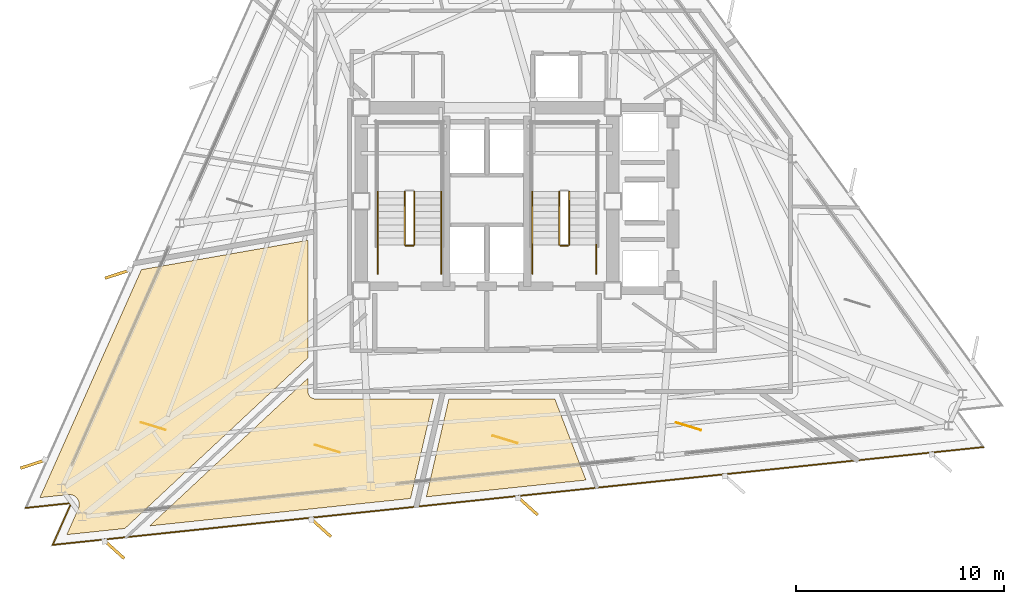
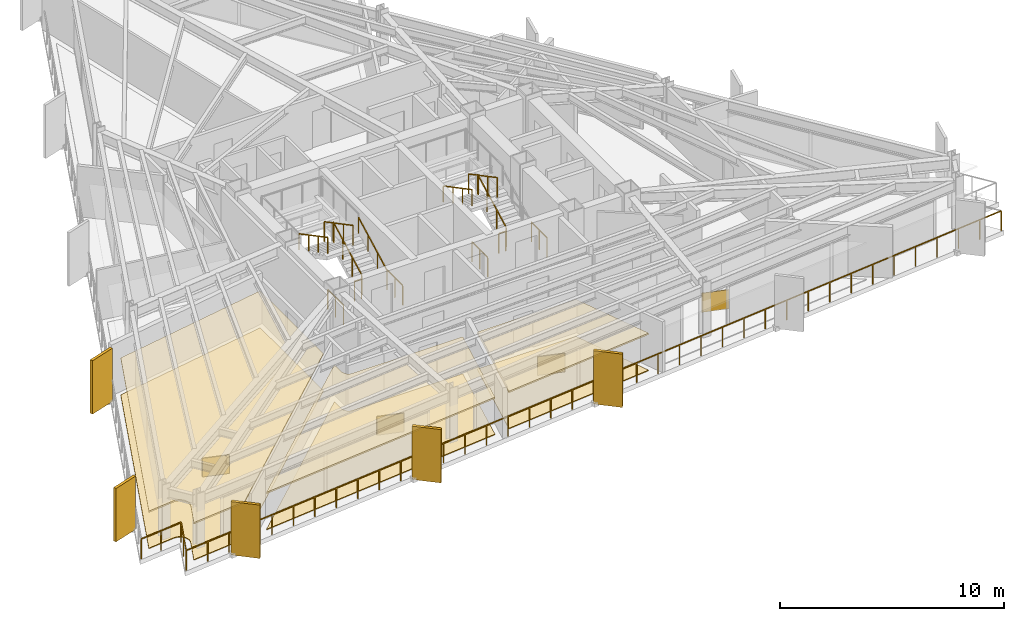
# One storey, part 10 of 12: 14 railings, 10 coverings, 5 shading devices.
"""IFC4 building model written with IfcOpenShell, lengths in metres."""

from ifc_helpers import new_model, si_unit, direction, frame, origin, origin_2d, place, context, subcontext, project, spatial, polyline, rectangle, outline, extrude, material, layer, layer_set, type_object, element, save


model = new_model("IFC4")

# Units and contexts
model_context = context("Model", 3, precision=1e-05, world=origin(), true_north=direction((0.0, 1.0)))
body_context = subcontext(model_context, "Body", "Model", "MODEL_VIEW")
ifc_project = project(units=[si_unit("LENGTHUNIT", "METRE"), si_unit("AREAUNIT", "SQUARE_METRE"), si_unit("VOLUMEUNIT", "CUBIC_METRE"), si_unit("PLANEANGLEUNIT", "RADIAN"), si_unit("MASSUNIT", "GRAM", prefix="KILO")], contexts=[model_context])

# Site, building, storey
site_placement = place(None, origin())
site = spatial("IfcSite", under=ifc_project, at=site_placement, CompositionType="ELEMENT")
building_placement = place(site_placement, origin())
building = spatial("IfcBuilding", under=site, at=building_placement, Name="Rocaltana Carrier Exchange", CompositionType="ELEMENT")
storey_placement = place(building_placement, frame((0.0, 0.0, 116.800048828125)))
storey = spatial("IfcBuildingStorey", under=building, at=storey_placement, Name="L36", CompositionType="ELEMENT", Elevation=116.800048828125)

# Coverings
ifc_material_1 = material(Name="Honed Bogota Sandstone Tile", Category="masonry")
ifc_layer_1 = layer(ifc_material_1, 0.0400390625)
ifc_layer_set_1 = layer_set([ifc_layer_1], Name="Honed Bogota Sandstone Tile")
covering_type_1 = type_object("IfcCoveringType", Name="Honed Stone Lobby Flooring 40", PredefinedType="FLOORING", material=ifc_layer_set_1)
covering_1_placement = place(storey_placement, origin())
element("IfcCovering", 1, at=covering_1_placement, inside=storey, type_object=covering_type_1, Name="L36 Incident Briefing Room Finish Floor", PredefinedType="FLOORING", context=body_context, shape_type="SweptSolid", body=[
    extrude(outline(polyline([(-19.646240234375, -14.78759765625), (-19.640869140625, -14.774658203125), (-19.633544921875, -14.756103515625), (-19.625, -14.7294921875), (-19.61962890625, -14.71044921875), (-19.613525390625, -14.68310546875), (-19.610107421875, -14.66357421875), (-19.606689453125, -14.6357421875), (-19.60546875, -14.615966796875), (-19.60498046875, -14.587890625), (-19.60546875, -14.568115234375), (-19.607666015625, -14.540283203125), (-19.6103515625, -14.5205078125), (-19.615234375, -14.492919921875), (-19.619873046875, -14.4736328125), (-19.62744140625, -14.44677734375), (-19.6337890625, -14.427978515625), (-19.644287109375, -14.402099609375), (-19.652587890625, -14.3837890625), (-19.665283203125, -14.359130859375), (-19.675537109375, -14.341796875), (-19.690673828125, -14.318603515625), (-19.702392578125, -14.30224609375), (-19.719970703125, -14.280517578125), (-19.733154296875, -14.265625), (-19.752685546875, -14.245849609375), (-19.767578125, -14.232421875), (-19.7890625, -14.214599609375), (-19.804931640625, -14.20263671875), (-19.828125, -14.18701171875), (-19.84521484375, -14.176513671875), (-19.86962890625, -14.163330078125), (-19.8876953125, -14.15478515625), (-19.91357421875, -14.14404296875), (-19.932373046875, -14.137451171875), (-19.958984375, -14.12939453125), (-19.978271484375, -14.12451171875), (-20.005615234375, -14.119140625), (-20.025390625, -14.1162109375), (-20.05322265625, -14.113525390625), (-20.072998046875, -14.11279296875), (-20.10107421875, -14.11279296875), (-20.12109375, -14.114013671875), (-20.135009765625, -14.114990234375), (-21.49609375, -14.258056640625), (-16.614990234375, -3.295166015625), (-8.610107421875, -1.8837890625), (-8.610107421875, -7.53662109375), (-17.411865234375, -15.74462890625), (-20.202880859375, -16.037841796875), (-19.646240234375, -14.78759765625)])), origin(), (0.0, 0.0, 1.0), 0.0400390625),
])
covering_2_placement = place(storey_placement, origin())
element("IfcCovering", 2, at=covering_2_placement, inside=storey, type_object=covering_type_1, Name="L36 Peering Conference Room Finish Floor", PredefinedType="FLOORING", context=body_context, shape_type="SweptSolid", body=[
    extrude(outline(polyline([(-16.221923828125, -15.619384765625), (-8.610107421875, -8.521240234375), (-8.610107421875, -9.14990234375), (-8.609619140625, -9.163818359375), (-8.609375, -9.171630859375), (-8.606689453125, -9.198974609375), (-8.60546875, -9.206787109375), (-8.60009765625, -9.233642578125), (-8.59814453125, -9.2412109375), (-8.590087890625, -9.267578125), (-8.58740234375, -9.27490234375), (-8.576904296875, -9.30029296875), (-8.57373046875, -9.307373046875), (-8.560791015625, -9.331787109375), (-8.556640625, -9.33837890625), (-8.54150390625, -9.361083984375), (-8.53662109375, -9.367431640625), (-8.519287109375, -9.388916015625), (-8.513916015625, -9.39453125), (-8.49462890625, -9.4140625), (-8.48876953125, -9.419189453125), (-8.467529296875, -9.436767578125), (-8.461181640625, -9.44140625), (-8.4384765625, -9.456787109375), (-8.431640625, -9.460693359375), (-8.407470703125, -9.4736328125), (-8.400390625, -9.47705078125), (-8.375, -9.487548828125), (-8.36767578125, -9.490234375), (-8.34130859375, -9.498291015625), (-8.33349609375, -9.5), (-8.306640625, -9.50537109375), (-8.298828125, -9.506591796875), (-8.271484375, -9.50927734375), (-8.263671875, -9.509765625), (-8.25, -9.510009765625), (-2.56494140625, -9.510009765625), (-3.6708984375, -14.30029296875), (-16.221923828125, -15.619384765625)])), origin(), (0.0, 0.0, 1.0), 0.0400390625),
])
covering_3_placement = place(storey_placement, origin())
element("IfcCovering", 3, at=covering_3_placement, inside=storey, type_object=covering_type_1, Name="L36 Optical Switching Laboratory Finish Floor", PredefinedType="FLOORING", context=body_context, shape_type="SweptSolid", body=[
    extrude(outline(polyline([(-2.913818359375, -14.220703125), (-1.826171875, -9.510009765625), (3.264892578125, -9.510009765625), (4.763427734375, -13.413818359375), (-2.913818359375, -14.220703125)])), origin(), (0.0, 0.0, 1.0), 0.0400390625),
])
ifc_material_2 = material(Name="Anodised Aluminium 6063-T6", Category="aluminium")
ifc_layer_2 = layer(ifc_material_2, 0.0849609375)
ifc_layer_set_2 = layer_set([ifc_layer_2], Name="Anodised Aluminium 6063-T6")
covering_type_2 = type_object("IfcCoveringType", Name="Linear Baffle Acoustic Ceiling 85", PredefinedType="CEILING", material=ifc_layer_set_2)
covering_4_placement = place(storey_placement, frame((0.0, 0.0, 1.972900390625)))
element("IfcCovering", 4, at=covering_4_placement, inside=storey, type_object=covering_type_2, Name="L36 Incident Briefing Room Acoustic Ceiling", PredefinedType="CEILING", context=body_context, shape_type="SweptSolid", body=[
    extrude(outline(polyline([(-19.646240234375, -14.78759765625), (-19.640869140625, -14.774658203125), (-19.633544921875, -14.756103515625), (-19.625, -14.7294921875), (-19.61962890625, -14.71044921875), (-19.613525390625, -14.68310546875), (-19.610107421875, -14.66357421875), (-19.606689453125, -14.6357421875), (-19.60546875, -14.615966796875), (-19.60498046875, -14.587890625), (-19.60546875, -14.568115234375), (-19.607666015625, -14.540283203125), (-19.6103515625, -14.5205078125), (-19.615234375, -14.492919921875), (-19.619873046875, -14.4736328125), (-19.62744140625, -14.44677734375), (-19.6337890625, -14.427978515625), (-19.644287109375, -14.402099609375), (-19.652587890625, -14.3837890625), (-19.665283203125, -14.359130859375), (-19.675537109375, -14.341796875), (-19.690673828125, -14.318603515625), (-19.702392578125, -14.30224609375), (-19.719970703125, -14.280517578125), (-19.733154296875, -14.265625), (-19.752685546875, -14.245849609375), (-19.767578125, -14.232421875), (-19.7890625, -14.214599609375), (-19.804931640625, -14.20263671875), (-19.828125, -14.18701171875), (-19.84521484375, -14.176513671875), (-19.86962890625, -14.163330078125), (-19.8876953125, -14.15478515625), (-19.91357421875, -14.14404296875), (-19.932373046875, -14.137451171875), (-19.958984375, -14.12939453125), (-19.978271484375, -14.12451171875), (-20.005615234375, -14.119140625), (-20.025390625, -14.1162109375), (-20.05322265625, -14.113525390625), (-20.072998046875, -14.11279296875), (-20.10107421875, -14.11279296875), (-20.12109375, -14.114013671875), (-20.135009765625, -14.114990234375), (-21.49609375, -14.258056640625), (-16.614990234375, -3.295166015625), (-8.610107421875, -1.8837890625), (-8.610107421875, -7.53662109375), (-17.411865234375, -15.74462890625), (-20.202880859375, -16.037841796875), (-19.646240234375, -14.78759765625)])), origin(), (0.0, 0.0, 1.0), 0.0849609375),
])
covering_5_placement = place(storey_placement, frame((0.0, 0.0, 1.972900390625)))
element("IfcCovering", 5, at=covering_5_placement, inside=storey, type_object=covering_type_2, Name="L36 Peering Conference Room Acoustic Ceiling", PredefinedType="CEILING", context=body_context, shape_type="SweptSolid", body=[
    extrude(outline(polyline([(-16.221923828125, -15.619384765625), (-8.610107421875, -8.521240234375), (-8.610107421875, -9.14990234375), (-8.609619140625, -9.163818359375), (-8.609375, -9.171630859375), (-8.606689453125, -9.198974609375), (-8.60546875, -9.206787109375), (-8.60009765625, -9.233642578125), (-8.59814453125, -9.2412109375), (-8.590087890625, -9.267578125), (-8.58740234375, -9.27490234375), (-8.576904296875, -9.30029296875), (-8.57373046875, -9.307373046875), (-8.560791015625, -9.331787109375), (-8.556640625, -9.33837890625), (-8.54150390625, -9.361083984375), (-8.53662109375, -9.367431640625), (-8.519287109375, -9.388916015625), (-8.513916015625, -9.39453125), (-8.49462890625, -9.4140625), (-8.48876953125, -9.419189453125), (-8.467529296875, -9.436767578125), (-8.461181640625, -9.44140625), (-8.4384765625, -9.456787109375), (-8.431640625, -9.460693359375), (-8.407470703125, -9.4736328125), (-8.400390625, -9.47705078125), (-8.375, -9.487548828125), (-8.36767578125, -9.490234375), (-8.34130859375, -9.498291015625), (-8.33349609375, -9.5), (-8.306640625, -9.50537109375), (-8.298828125, -9.506591796875), (-8.271484375, -9.50927734375), (-8.263671875, -9.509765625), (-8.25, -9.510009765625), (-2.56494140625, -9.510009765625), (-3.6708984375, -14.30029296875), (-16.221923828125, -15.619384765625)])), origin(), (0.0, 0.0, 1.0), 0.0849609375),
])
covering_6_placement = place(storey_placement, frame((0.0, 0.0, 1.972900390625)))
element("IfcCovering", 6, at=covering_6_placement, inside=storey, type_object=covering_type_2, Name="L36 Optical Switching Laboratory Acoustic Ceiling", PredefinedType="CEILING", context=body_context, shape_type="SweptSolid", body=[
    extrude(outline(polyline([(-2.913818359375, -14.220703125), (-1.826171875, -9.510009765625), (3.264892578125, -9.510009765625), (4.763427734375, -13.413818359375), (-2.913818359375, -14.220703125)])), origin(), (0.0, 0.0, 1.0), 0.0849609375),
])

# Railings
ifc_material_3 = material(Name="Brushed Architectural Stainless Tube", Category="steel")
ifc_layer_3 = layer(ifc_material_3, 0.048095703125)
ifc_layer_set_3 = layer_set([ifc_layer_3], Name="Brushed Architectural Stainless Tube")
railing_type_1 = type_object("IfcRailingType", Name="Stair Wall Handrail 920", PredefinedType="HANDRAIL", material=ifc_layer_set_3)
railing_1_placement = place(storey_placement, frame((-2.18994140625, -2.10009765625, 0.1689453125)))
element("IfcRailing", 7, at=railing_1_placement, inside=storey, type_object=railing_type_1, Name="L36 ST-1 stair handrail 1", PredefinedType="HANDRAIL", context=body_context, shape_type="SweptSolid", body=[
    extrude(rectangle(XDim=0.048095703125, YDim=0.048095703125, at=origin_2d()), frame((0.0, 0.0, 0.8759765625), z_axis=(0.0, 0.884394423565, 0.466740295633), x_axis=(-1.0, 0.0, 0.0)), (0.0, 0.0, 1.0), 2.894775390625),
    extrude(rectangle(XDim=0.0419921875, YDim=0.0419921875, at=origin_2d()), origin(), (0.0, 0.0, 1.0), 0.851806640625),
    extrude(rectangle(XDim=0.0419921875, YDim=0.0419921875, at=origin_2d()), frame((0.0, 0.853271484375, 0.450439453125)), (0.0, 0.0, 1.0), 0.851806640625),
    extrude(rectangle(XDim=0.0419921875, YDim=0.0419921875, at=origin_2d()), frame((0.0, 1.706787109375, 0.900634765625)), (0.0, 0.0, 1.0), 0.851806640625),
    extrude(rectangle(XDim=0.0419921875, YDim=0.0419921875, at=origin_2d()), frame((0.0, 2.56005859375, 1.35107421875)), (0.0, 0.0, 1.0), 0.851806640625),
])
for number, where, name in (
    (8, (-5.25, 0.4599609375, 1.688720703125), "L36 ST-1 stair handrail 2"),
    (9, (2.18994140625, 0.4599609375, 1.688720703125), "L36 ST-2 stair handrail 2"),
):
    element("IfcRailing", number, at=place(storey_placement, frame(where)), inside=storey, type_object=railing_type_1, Name=name, PredefinedType="HANDRAIL", context=body_context, shape_type="SweptSolid", body=[
        extrude(rectangle(XDim=0.048095703125, YDim=0.048095703125, at=origin_2d()), frame((0.0, 0.0, 0.8759765625), z_axis=(0.0, -0.884359608194, 0.46680625895), x_axis=(1.0, 0.0, 0.0)), (0.0, 0.0, 1.0), 2.894775390625),
        extrude(rectangle(XDim=0.0419921875, YDim=0.0419921875, at=origin_2d()), origin(), (0.0, 0.0, 1.0), 0.851806640625),
        extrude(rectangle(XDim=0.0419921875, YDim=0.0419921875, at=origin_2d()), frame((0.0, -0.853271484375, 0.450439453125)), (0.0, 0.0, 1.0), 0.851806640625),
        extrude(rectangle(XDim=0.0419921875, YDim=0.0419921875, at=origin_2d()), frame((0.0, -1.706787109375, 0.90087890625)), (0.0, 0.0, 1.0), 0.851806640625),
        extrude(rectangle(XDim=0.0419921875, YDim=0.0419921875, at=origin_2d()), frame((0.0, -2.56005859375, 1.351318359375)), (0.0, 0.0, 1.0), 0.851806640625),
    ])
ifc_material_4 = material(Name="Powder-Coated Aluminium 6063-T6", Category="aluminium")
ifc_layer_4 = layer(ifc_material_4, 0.048095703125)
ifc_layer_set_4 = layer_set([ifc_layer_4], Name="Powder-Coated Aluminium 6063-T6")
railing_type_2 = type_object("IfcRailingType", Name="Stair Well Guardrail 1100", PredefinedType="GUARDRAIL", material=ifc_layer_set_4)
railing_2_placement = place(storey_placement, frame((-3.489990234375, -2.10009765625, 0.1689453125)))
element("IfcRailing", 10, at=railing_2_placement, inside=storey, type_object=railing_type_2, Name="L36 ST-1 stair guard 1", PredefinedType="GUARDRAIL", context=body_context, shape_type="SweptSolid", body=[
    extrude(rectangle(XDim=0.048095703125, YDim=0.048095703125, at=origin_2d()), frame((0.0, 0.0, 1.076171875), z_axis=(0.0, 0.884394423565, 0.466740295633), x_axis=(-1.0, 0.0, 0.0)), (0.0, 0.0, 1.0), 2.894775390625),
    extrude(rectangle(XDim=0.0419921875, YDim=0.0419921875, at=origin_2d()), origin(), (0.0, 0.0, 1.0), 1.052001953125),
    extrude(rectangle(XDim=0.0419921875, YDim=0.0419921875, at=origin_2d()), frame((0.0, 0.853271484375, 0.450439453125)), (0.0, 0.0, 1.0), 1.052001953125),
    extrude(rectangle(XDim=0.0419921875, YDim=0.0419921875, at=origin_2d()), frame((0.0, 1.706787109375, 0.900634765625)), (0.0, 0.0, 1.0), 1.052001953125),
    extrude(rectangle(XDim=0.0419921875, YDim=0.0419921875, at=origin_2d()), frame((0.0, 2.56005859375, 1.35107421875)), (0.0, 0.0, 1.0), 1.052001953125),
])
railing_3_placement = place(storey_placement, frame((-3.949951171875, 0.4599609375, 1.688720703125)))
element("IfcRailing", 11, at=railing_3_placement, inside=storey, type_object=railing_type_2, Name="L36 ST-1 stair guard 6", PredefinedType="GUARDRAIL", context=body_context, shape_type="SweptSolid", body=[
    extrude(rectangle(XDim=0.048095703125, YDim=0.048095703125, at=origin_2d()), frame((0.0, 0.0, 1.076171875), z_axis=(0.0, -0.884359608194, 0.46680625895), x_axis=(1.0, 0.0, 0.0)), (0.0, 0.0, 1.0), 2.894775390625),
    extrude(rectangle(XDim=0.0419921875, YDim=0.0419921875, at=origin_2d()), origin(), (0.0, 0.0, 1.0), 1.052001953125),
    extrude(rectangle(XDim=0.0419921875, YDim=0.0419921875, at=origin_2d()), frame((0.0, -0.853271484375, 0.450439453125)), (0.0, 0.0, 1.0), 1.052001953125),
    extrude(rectangle(XDim=0.0419921875, YDim=0.0419921875, at=origin_2d()), frame((0.0, -1.706787109375, 0.90087890625)), (0.0, 0.0, 1.0), 1.052001953125),
    extrude(rectangle(XDim=0.0419921875, YDim=0.0419921875, at=origin_2d()), frame((0.0, -2.56005859375, 1.351318359375)), (0.0, 0.0, 1.0), 1.052001953125),
])
railing_4_placement = place(storey_placement, frame((-3.5400390625, -2.14990234375, 0.0)))
element("IfcRailing", 12, at=railing_4_placement, inside=storey, type_object=railing_type_2, Name="L36 ST-1 stair guard 7", PredefinedType="GUARDRAIL", context=body_context, shape_type="SweptSolid", body=[
    extrude(rectangle(XDim=0.048095703125, YDim=0.048095703125, at=origin_2d()), frame((0.0, 0.0, 1.076171875), z_axis=(-1.0, 0.0, 0.0), x_axis=(0.0, -1.0, 0.0)), (0.0, 0.0, 1.0), 0.35986328125),
    extrude(rectangle(XDim=0.0419921875, YDim=0.0419921875, at=origin_2d()), origin(), (0.0, 0.0, 1.0), 1.052001953125),
    extrude(rectangle(XDim=0.0419921875, YDim=0.0419921875, at=origin_2d()), frame((-0.35986328125, 0.0, 0.0)), (0.0, 0.0, 1.0), 1.052001953125),
])
for number, where, name in (
    (13, (-2.18994140625, -3.5, 0.0), "L36 ST-1 stair guard 8"),
    (14, (-5.25, -3.5, 0.0), "L36 ST-1 stair guard 9"),
):
    element("IfcRailing", number, at=place(storey_placement, frame(where)), inside=storey, type_object=railing_type_2, Name=name, PredefinedType="GUARDRAIL", context=body_context, shape_type="SweptSolid", body=[
        extrude(rectangle(XDim=0.048095703125, YDim=0.048095703125, at=origin_2d()), frame((0.0, 0.0, 1.076171875), z_axis=(0.0, 1.0, 0.0), x_axis=(-1.0, 0.0, 0.0)), (0.0, 0.0, 1.0), 1.39990234375),
        extrude(rectangle(XDim=0.0419921875, YDim=0.0419921875, at=origin_2d()), origin(), (0.0, 0.0, 1.0), 1.052001953125),
        extrude(rectangle(XDim=0.0419921875, YDim=0.0419921875, at=origin_2d()), frame((0.0, 0.699951171875, 0.0)), (0.0, 0.0, 1.0), 1.052001953125),
        extrude(rectangle(XDim=0.0419921875, YDim=0.0419921875, at=origin_2d()), frame((0.0, 1.39990234375, 0.0)), (0.0, 0.0, 1.0), 1.052001953125),
    ])
railing_5_placement = place(storey_placement, frame((3.949951171875, -2.10009765625, 0.1689453125)))
element("IfcRailing", 15, at=railing_5_placement, inside=storey, type_object=railing_type_2, Name="L36 ST-2 stair guard 1", PredefinedType="GUARDRAIL", context=body_context, shape_type="SweptSolid", body=[
    extrude(rectangle(XDim=0.048095703125, YDim=0.048095703125, at=origin_2d()), frame((0.0, 0.0, 1.076171875), z_axis=(0.0, 0.884394423565, 0.466740295633), x_axis=(-1.0, 0.0, 0.0)), (0.0, 0.0, 1.0), 2.894775390625),
    extrude(rectangle(XDim=0.0419921875, YDim=0.0419921875, at=origin_2d()), origin(), (0.0, 0.0, 1.0), 1.052001953125),
    extrude(rectangle(XDim=0.0419921875, YDim=0.0419921875, at=origin_2d()), frame((0.0, 0.853271484375, 0.450439453125)), (0.0, 0.0, 1.0), 1.052001953125),
    extrude(rectangle(XDim=0.0419921875, YDim=0.0419921875, at=origin_2d()), frame((0.0, 1.706787109375, 0.900634765625)), (0.0, 0.0, 1.0), 1.052001953125),
    extrude(rectangle(XDim=0.0419921875, YDim=0.0419921875, at=origin_2d()), frame((0.0, 2.56005859375, 1.35107421875)), (0.0, 0.0, 1.0), 1.052001953125),
])
railing_6_placement = place(storey_placement, frame((3.489990234375, 0.4599609375, 1.688720703125)))
element("IfcRailing", 16, at=railing_6_placement, inside=storey, type_object=railing_type_2, Name="L36 ST-2 stair guard 6", PredefinedType="GUARDRAIL", context=body_context, shape_type="SweptSolid", body=[
    extrude(rectangle(XDim=0.048095703125, YDim=0.048095703125, at=origin_2d()), frame((0.0, 0.0, 1.076171875), z_axis=(0.0, -0.884359608194, 0.46680625895), x_axis=(1.0, 0.0, 0.0)), (0.0, 0.0, 1.0), 2.894775390625),
    extrude(rectangle(XDim=0.0419921875, YDim=0.0419921875, at=origin_2d()), origin(), (0.0, 0.0, 1.0), 1.052001953125),
    extrude(rectangle(XDim=0.0419921875, YDim=0.0419921875, at=origin_2d()), frame((0.0, -0.853271484375, 0.450439453125)), (0.0, 0.0, 1.0), 1.052001953125),
    extrude(rectangle(XDim=0.0419921875, YDim=0.0419921875, at=origin_2d()), frame((0.0, -1.706787109375, 0.90087890625)), (0.0, 0.0, 1.0), 1.052001953125),
    extrude(rectangle(XDim=0.0419921875, YDim=0.0419921875, at=origin_2d()), frame((0.0, -2.56005859375, 1.351318359375)), (0.0, 0.0, 1.0), 1.052001953125),
])
railing_7_placement = place(storey_placement, frame((3.89990234375, -2.14990234375, 0.0)))
element("IfcRailing", 17, at=railing_7_placement, inside=storey, type_object=railing_type_2, Name="L36 ST-2 stair guard 7", PredefinedType="GUARDRAIL", context=body_context, shape_type="SweptSolid", body=[
    extrude(rectangle(XDim=0.048095703125, YDim=0.048095703125, at=origin_2d()), frame((0.0, 0.0, 1.076171875), z_axis=(-1.0, 0.0, 0.0), x_axis=(0.0, -1.0, 0.0)), (0.0, 0.0, 1.0), 0.35986328125),
    extrude(rectangle(XDim=0.0419921875, YDim=0.0419921875, at=origin_2d()), origin(), (0.0, 0.0, 1.0), 1.052001953125),
    extrude(rectangle(XDim=0.0419921875, YDim=0.0419921875, at=origin_2d()), frame((-0.35986328125, 0.0, 0.0)), (0.0, 0.0, 1.0), 1.052001953125),
])
for number, where, name in (
    (18, (5.25, -3.5, 0.0), "L36 ST-2 stair guard 8"),
    (19, (2.18994140625, -3.5, 0.0), "L36 ST-2 stair guard 9"),
):
    element("IfcRailing", number, at=place(storey_placement, frame(where)), inside=storey, type_object=railing_type_2, Name=name, PredefinedType="GUARDRAIL", context=body_context, shape_type="SweptSolid", body=[
        extrude(rectangle(XDim=0.048095703125, YDim=0.048095703125, at=origin_2d()), frame((0.0, 0.0, 1.076171875), z_axis=(0.0, 1.0, 0.0), x_axis=(-1.0, 0.0, 0.0)), (0.0, 0.0, 1.0), 1.39990234375),
        extrude(rectangle(XDim=0.0419921875, YDim=0.0419921875, at=origin_2d()), origin(), (0.0, 0.0, 1.0), 1.052001953125),
        extrude(rectangle(XDim=0.0419921875, YDim=0.0419921875, at=origin_2d()), frame((0.0, 0.699951171875, 0.0)), (0.0, 0.0, 1.0), 1.052001953125),
        extrude(rectangle(XDim=0.0419921875, YDim=0.0419921875, at=origin_2d()), frame((0.0, 1.39990234375, 0.0)), (0.0, 0.0, 1.0), 1.052001953125),
    ])

# Coverings
ifc_material_5 = material(Name="Honed Piedra Muneca Sandstone", Category="masonry")
ifc_layer_5 = layer(ifc_material_5, 0.034912109375)
ifc_layer_set_5 = layer_set([ifc_layer_5], Name="Honed Piedra Muneca Sandstone")
covering_type_3 = type_object("IfcCoveringType", Name="Stone Facade Cladding 35", PredefinedType="CLADDING", material=ifc_layer_set_5)
for number, where, z_axis, x_axis, name in (
    (20, (-16.0517578125, -10.82470703125, 0.0), (0.0, 0.0, 1.0), (-0.956304755963, 0.292371704723, 0.0), "L36 Stone Facade Cladding Panel 2"),
    (21, (-7.678466796875, -11.9052734375, 0.0), (0.0, 0.0, 1.0), (-0.956304755963, 0.292371704723, 0.0), "L36 Stone Facade Cladding Panel 3"),
    (22, (0.86865234375, -11.4619140625, 0.0), (0.0, 0.0, 1.0), (-0.956304755963, 0.292371704723, 0.0), "L36 Stone Facade Cladding Panel 4"),
    (23, (9.693603515625, -10.8330078125, 0.0), (0.0, 0.0, 1.0), (-0.956304755963, 0.292371704723, 0.0), "L36 Stone Facade Cladding Panel 5"),
):
    element("IfcCovering", number, at=place(storey_placement, frame(where, z_axis=z_axis, x_axis=x_axis)), inside=storey, type_object=covering_type_3, Name=name, PredefinedType="CLADDING", context=body_context, shape_type="SweptSolid", body=[
        extrude(rectangle(XDim=1.25, YDim=0.034912109375, at=origin_2d()), origin(), (0.0, 0.0, 1.0), 1.050048828125),
    ])

# Shading devices
ifc_material_6 = material(Name="Honed Bogota Sandstone & Concrete C45/55", Category="masonry")
ifc_layer_6 = layer(ifc_material_6, 0.139892578125)
ifc_layer_set_6 = layer_set([ifc_layer_6], Name="Honed Bogota Sandstone & Concrete C45/55")
shading_device_type = type_object("IfcShadingDeviceType", Name="Vertical Sandstone Shading Fin 1320x140", PredefinedType="USERDEFINED", material=ifc_layer_set_6)
for number, where, z_axis, x_axis, name in (
    (24, (-17.7373046875, -3.50341796875, -0.1201171875), (0.0, 0.0, 1.0), (-0.951056516295, -0.309016994375, 0.0), "L36 Sandstone Vertical Fin F2-04"),
    (25, (-21.8046875, -12.638671875, -0.1201171875), (0.0, 0.0, 1.0), (-0.951056516295, -0.309016994375, 0.0), "L36 Sandstone Vertical Fin F2-05"),
    (26, (-17.93310546875, -16.745361328125, -0.1201171875), (0.0, 0.0, 1.0), (0.743144825477, -0.669130606359, 0.0), "L36 Sandstone Vertical Fin F3-01"),
    (27, (-7.98779296875, -15.699951171875, -0.1201171875), (0.0, 0.0, 1.0), (0.743144825477, -0.669130606359, 0.0), "L36 Sandstone Vertical Fin F3-02"),
    (28, (1.95751953125, -14.65478515625, -0.1201171875), (0.0, 0.0, 1.0), (0.743144825477, -0.669130606359, 0.0), "L36 Sandstone Vertical Fin F3-03"),
):
    element("IfcShadingDevice", number, at=place(storey_placement, frame(where, z_axis=z_axis, x_axis=x_axis)), inside=storey, type_object=shading_device_type, Name=name, ObjectType="FIN", PredefinedType="USERDEFINED", context=body_context, shape_type="SweptSolid", body=[
        extrude(rectangle(XDim=1.320068359375, YDim=0.139892578125, at=origin_2d()), origin(), (0.0, 0.0, 1.0), 2.907958984375),
    ])

# Railing
ifc_material_7 = material(Name="Powder-Coated Aluminium 6063-T6", Category="aluminium")
ifc_layer_7 = layer(ifc_material_7, 0.06005859375)
ifc_layer_set_7 = layer_set([ifc_layer_7], Name="Powder-Coated Aluminium 6063-T6")
railing_type_3 = type_object("IfcRailingType", Name="Wind-Floor & Terrace Perimeter Guardrail 1100", PredefinedType="GUARDRAIL", material=ifc_layer_set_7)
railing_8_placement = place(storey_placement, frame((23.86328125, -11.82861328125, 0.0)))
element("IfcRailing", 29, at=railing_8_placement, inside=storey, type_object=railing_type_3, Name="L36 Perimeter Balcony Guardrail 1", PredefinedType="GUARDRAIL", context=body_context, shape_type="SweptSolid", body=[
    extrude(rectangle(XDim=0.048095703125, YDim=0.048095703125, at=origin_2d()), frame((0.0, 0.0, 1.076171875), z_axis=(-0.994521497127, -0.104532252211, 0.0), x_axis=(0.104532252211, -0.994521497127, 0.0)), (0.0, 0.0, 1.0), 44.9921875),
    extrude(rectangle(XDim=0.048095703125, YDim=0.048095703125, at=origin_2d()), frame((-44.74560546875, -4.703125, 1.076171875), z_axis=(0.406725294076, 0.913550510459, 0.0), x_axis=(-0.913550510459, 0.406725294076, 0.0)), (0.0, 0.0, 1.0), 2.199951171875),
    extrude(rectangle(XDim=0.048095703125, YDim=0.048095703125, at=origin_2d()), frame((-43.850830078125, -2.693359375, 1.076171875), z_axis=(-0.994521251134, -0.104534592565, 0.0), x_axis=(0.104534592565, -0.994521251134, 0.0)), (0.0, 0.0, 1.0), 2.199951171875),
    extrude(rectangle(XDim=0.0419921875, YDim=0.0419921875, at=origin_2d()), origin(), (0.0, 0.0, 1.0), 1.052001953125),
    extrude(rectangle(XDim=0.0419921875, YDim=0.0419921875, at=origin_2d()), frame((-1.177490234375, -0.123779296875, 0.0)), (0.0, 0.0, 1.0), 1.052001953125),
    extrude(rectangle(XDim=0.0419921875, YDim=0.0419921875, at=origin_2d()), frame((-2.35498046875, -0.24755859375, 0.0)), (0.0, 0.0, 1.0), 1.052001953125),
    extrude(rectangle(XDim=0.0419921875, YDim=0.0419921875, at=origin_2d()), frame((-3.532470703125, -0.371337890625, 0.0)), (0.0, 0.0, 1.0), 1.052001953125),
    extrude(rectangle(XDim=0.0419921875, YDim=0.0419921875, at=origin_2d()), frame((-4.7099609375, -0.4951171875, 0.0)), (0.0, 0.0, 1.0), 1.052001953125),
    extrude(rectangle(XDim=0.0419921875, YDim=0.0419921875, at=origin_2d()), frame((-5.8876953125, -0.618896484375, 0.0)), (0.0, 0.0, 1.0), 1.052001953125),
    extrude(rectangle(XDim=0.0419921875, YDim=0.0419921875, at=origin_2d()), frame((-7.065185546875, -0.74267578125, 0.0)), (0.0, 0.0, 1.0), 1.052001953125),
    extrude(rectangle(XDim=0.0419921875, YDim=0.0419921875, at=origin_2d()), frame((-8.24267578125, -0.866455078125, 0.0)), (0.0, 0.0, 1.0), 1.052001953125),
    extrude(rectangle(XDim=0.0419921875, YDim=0.0419921875, at=origin_2d()), frame((-9.420166015625, -0.990234375, 0.0)), (0.0, 0.0, 1.0), 1.052001953125),
    extrude(rectangle(XDim=0.0419921875, YDim=0.0419921875, at=origin_2d()), frame((-10.59765625, -1.114013671875, 0.0)), (0.0, 0.0, 1.0), 1.052001953125),
    extrude(rectangle(XDim=0.0419921875, YDim=0.0419921875, at=origin_2d()), frame((-11.775146484375, -1.237548828125, 0.0)), (0.0, 0.0, 1.0), 1.052001953125),
    extrude(rectangle(XDim=0.0419921875, YDim=0.0419921875, at=origin_2d()), frame((-12.95263671875, -1.361328125, 0.0)), (0.0, 0.0, 1.0), 1.052001953125),
    extrude(rectangle(XDim=0.0419921875, YDim=0.0419921875, at=origin_2d()), frame((-14.130126953125, -1.485107421875, 0.0)), (0.0, 0.0, 1.0), 1.052001953125),
    extrude(rectangle(XDim=0.0419921875, YDim=0.0419921875, at=origin_2d()), frame((-15.3076171875, -1.60888671875, 0.0)), (0.0, 0.0, 1.0), 1.052001953125),
    extrude(rectangle(XDim=0.0419921875, YDim=0.0419921875, at=origin_2d()), frame((-16.485107421875, -1.732666015625, 0.0)), (0.0, 0.0, 1.0), 1.052001953125),
    extrude(rectangle(XDim=0.0419921875, YDim=0.0419921875, at=origin_2d()), frame((-17.662841796875, -1.8564453125, 0.0)), (0.0, 0.0, 1.0), 1.052001953125),
    extrude(rectangle(XDim=0.0419921875, YDim=0.0419921875, at=origin_2d()), frame((-18.84033203125, -1.980224609375, 0.0)), (0.0, 0.0, 1.0), 1.052001953125),
    extrude(rectangle(XDim=0.0419921875, YDim=0.0419921875, at=origin_2d()), frame((-20.017822265625, -2.10400390625, 0.0)), (0.0, 0.0, 1.0), 1.052001953125),
    extrude(rectangle(XDim=0.0419921875, YDim=0.0419921875, at=origin_2d()), frame((-21.1953125, -2.227783203125, 0.0)), (0.0, 0.0, 1.0), 1.052001953125),
    extrude(rectangle(XDim=0.0419921875, YDim=0.0419921875, at=origin_2d()), frame((-22.372802734375, -2.3515625, 0.0)), (0.0, 0.0, 1.0), 1.052001953125),
    extrude(rectangle(XDim=0.0419921875, YDim=0.0419921875, at=origin_2d()), frame((-23.55029296875, -2.475341796875, 0.0)), (0.0, 0.0, 1.0), 1.052001953125),
    extrude(rectangle(XDim=0.0419921875, YDim=0.0419921875, at=origin_2d()), frame((-24.727783203125, -2.59912109375, 0.0)), (0.0, 0.0, 1.0), 1.052001953125),
    extrude(rectangle(XDim=0.0419921875, YDim=0.0419921875, at=origin_2d()), frame((-25.9052734375, -2.722900390625, 0.0)), (0.0, 0.0, 1.0), 1.052001953125),
    extrude(rectangle(XDim=0.0419921875, YDim=0.0419921875, at=origin_2d()), frame((-27.082763671875, -2.8466796875, 0.0)), (0.0, 0.0, 1.0), 1.052001953125),
    extrude(rectangle(XDim=0.0419921875, YDim=0.0419921875, at=origin_2d()), frame((-28.260498046875, -2.970458984375, 0.0)), (0.0, 0.0, 1.0), 1.052001953125),
    extrude(rectangle(XDim=0.0419921875, YDim=0.0419921875, at=origin_2d()), frame((-29.43798828125, -3.09423828125, 0.0)), (0.0, 0.0, 1.0), 1.052001953125),
    extrude(rectangle(XDim=0.0419921875, YDim=0.0419921875, at=origin_2d()), frame((-30.615478515625, -3.218017578125, 0.0)), (0.0, 0.0, 1.0), 1.052001953125),
    extrude(rectangle(XDim=0.0419921875, YDim=0.0419921875, at=origin_2d()), frame((-31.79296875, -3.341796875, 0.0)), (0.0, 0.0, 1.0), 1.052001953125),
    extrude(rectangle(XDim=0.0419921875, YDim=0.0419921875, at=origin_2d()), frame((-32.970458984375, -3.465576171875, 0.0)), (0.0, 0.0, 1.0), 1.052001953125),
    extrude(rectangle(XDim=0.0419921875, YDim=0.0419921875, at=origin_2d()), frame((-34.14794921875, -3.589111328125, 0.0)), (0.0, 0.0, 1.0), 1.052001953125),
    extrude(rectangle(XDim=0.0419921875, YDim=0.0419921875, at=origin_2d()), frame((-35.325439453125, -3.712890625, 0.0)), (0.0, 0.0, 1.0), 1.052001953125),
    extrude(rectangle(XDim=0.0419921875, YDim=0.0419921875, at=origin_2d()), frame((-36.5029296875, -3.836669921875, 0.0)), (0.0, 0.0, 1.0), 1.052001953125),
    extrude(rectangle(XDim=0.0419921875, YDim=0.0419921875, at=origin_2d()), frame((-37.680419921875, -3.96044921875, 0.0)), (0.0, 0.0, 1.0), 1.052001953125),
    extrude(rectangle(XDim=0.0419921875, YDim=0.0419921875, at=origin_2d()), frame((-38.85791015625, -4.084228515625, 0.0)), (0.0, 0.0, 1.0), 1.052001953125),
    extrude(rectangle(XDim=0.0419921875, YDim=0.0419921875, at=origin_2d()), frame((-40.03564453125, -4.2080078125, 0.0)), (0.0, 0.0, 1.0), 1.052001953125),
    extrude(rectangle(XDim=0.0419921875, YDim=0.0419921875, at=origin_2d()), frame((-41.213134765625, -4.331787109375, 0.0)), (0.0, 0.0, 1.0), 1.052001953125),
    extrude(rectangle(XDim=0.0419921875, YDim=0.0419921875, at=origin_2d()), frame((-42.390625, -4.45556640625, 0.0)), (0.0, 0.0, 1.0), 1.052001953125),
    extrude(rectangle(XDim=0.0419921875, YDim=0.0419921875, at=origin_2d()), frame((-43.568115234375, -4.579345703125, 0.0)), (0.0, 0.0, 1.0), 1.052001953125),
    extrude(rectangle(XDim=0.0419921875, YDim=0.0419921875, at=origin_2d()), frame((-44.74560546875, -4.703125, 0.0)), (0.0, 0.0, 1.0), 1.052001953125),
    extrude(rectangle(XDim=0.0419921875, YDim=0.0419921875, at=origin_2d()), frame((-44.29833984375, -3.6982421875, 0.0)), (0.0, 0.0, 1.0), 1.052001953125),
    extrude(rectangle(XDim=0.0419921875, YDim=0.0419921875, at=origin_2d()), frame((-43.850830078125, -2.693359375, 0.0)), (0.0, 0.0, 1.0), 1.052001953125),
    extrude(rectangle(XDim=0.0419921875, YDim=0.0419921875, at=origin_2d()), frame((-44.94482421875, -2.808349609375, 0.0)), (0.0, 0.0, 1.0), 1.052001953125),
    extrude(rectangle(XDim=0.0419921875, YDim=0.0419921875, at=origin_2d()), frame((-46.038818359375, -2.92333984375, 0.0)), (0.0, 0.0, 1.0), 1.052001953125),
])

save(model, "model.ifc")
